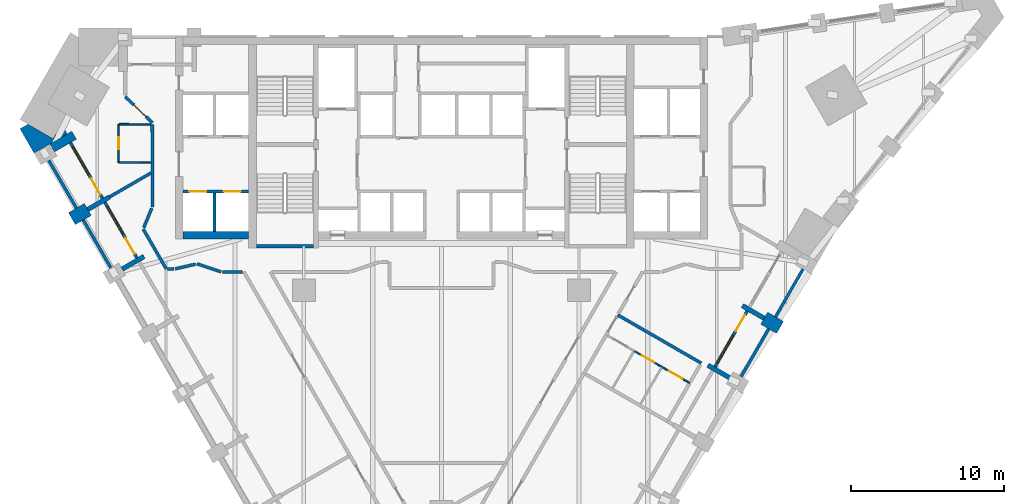
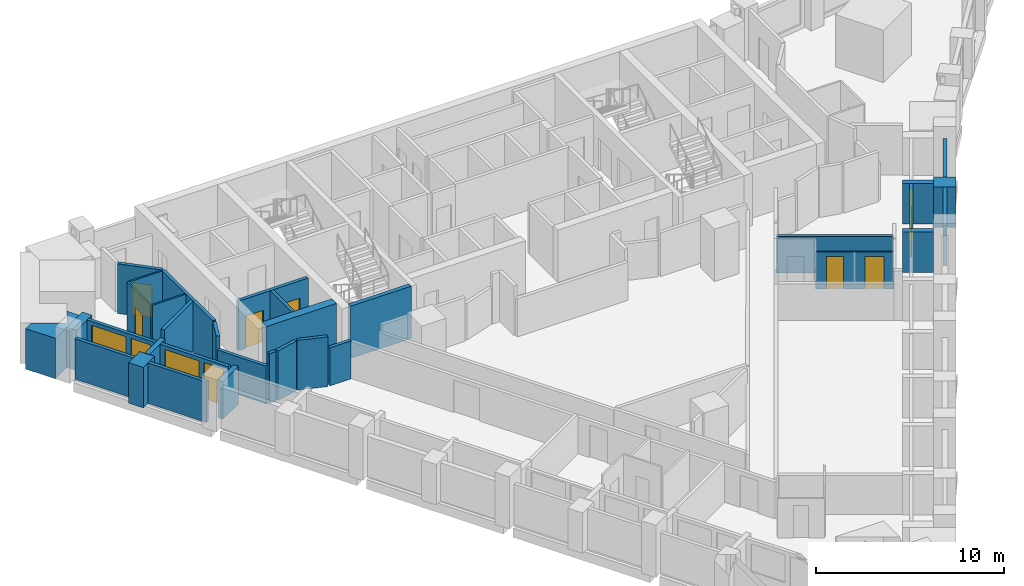
# One storey, part 5 of 10: 33 walls, 9 doors, 3 windows, 12 openings.
"""IFC4 building model written with IfcOpenShell, lengths in metres."""

import ifcopenshell
import ifcopenshell.guid

model = None  # the IFC model being written
_history = None  # IfcOwnerHistory: only IFC2X3 demands one
_inside = {}  # id of a spatial element -> (the spatial element, [elements in it])
_under = {}  # id of a project, library or spatial element -> (it, [spatial elements below it])
_declared = {}  # id of a project -> (the project, [libraries it declares])
_typed = {}  # id of a type object -> (the type object, [elements of that type])
_made_of = {}  # id of a material, layer set ... -> (it, [elements and type objects made of it])


def new_model(schema):
    """Start an empty IFC model of exactly this schema.

    Asked for "IFC4X3", IfcOpenShell would pick the latest addendum, in which some entities
    have other attributes; the version numbers below select the first issue.
    IFC2X3 requires an IfcOwnerHistory on every rooted entity: one is made here for all.
    """
    global model, _history
    if schema == "IFC4X3":
        model = ifcopenshell.file(schema_version=(4, 3, 0, 0))
    else:
        model = ifcopenshell.file(schema=schema)
    _inside.clear()
    _under.clear()
    _declared.clear()
    _typed.clear()
    _made_of.clear()
    _history = None
    if model.schema == "IFC2X3":
        org = make("IfcOrganization", Name="unknown")
        user = make(
            "IfcPersonAndOrganization",
            ThePerson=make("IfcPerson", FamilyName="unknown"),
            TheOrganization=org,
        )
        app = make(
            "IfcApplication",
            ApplicationDeveloper=org,
            Version="unknown",
            ApplicationFullName="unknown",
            ApplicationIdentifier="unknown",
        )
        _history = make(
            "IfcOwnerHistory",
            OwningUser=user,
            OwningApplication=app,
            ChangeAction="ADDED",
            CreationDate=0,
        )
    return model


def make(cls, **values):
    """One entity of the class cls with the attributes given. An attribute that is None is left unset."""
    return model.create_entity(
        cls, **{name: value for name, value in values.items() if value is not None}
    )


def rooted(cls, **values):
    """An entity with a GlobalId (a new one), such as an element, a storey or a relation."""
    return make(cls, GlobalId=ifcopenshell.guid.new(), OwnerHistory=_history, **values)


def si_unit(unit_type, name, prefix=None):
    """IfcSIUnit, for example si_unit("LENGTHUNIT", "METRE", prefix="MILLI")."""
    return make("IfcSIUnit", UnitType=unit_type, Prefix=prefix, Name=name)


def assignment(units):
    """IfcUnitAssignment: the units of a project."""
    return None if units is None else make("IfcUnitAssignment", Units=units)


def point(xyz):
    """IfcCartesianPoint."""
    return None if xyz is None else make("IfcCartesianPoint", Coordinates=xyz)


def direction(xyz):
    """IfcDirection."""
    return None if xyz is None else make("IfcDirection", DirectionRatios=xyz)


def frame(location, z_axis=None, x_axis=None):
    """IfcAxis2Placement3D, a coordinate frame: its origin and axes. An axis left out is left unset."""
    return make(
        "IfcAxis2Placement3D",
        Location=point(location),
        Axis=direction(z_axis),
        RefDirection=direction(x_axis),
    )


def frame_2d(location, x_axis=None):
    """IfcAxis2Placement2D, a coordinate frame in the plane: its origin and x axis."""
    return make(
        "IfcAxis2Placement2D", Location=point(location), RefDirection=direction(x_axis)
    )


def origin():
    """The frame at (0, 0, 0) with its axes left unset."""
    return frame((0.0, 0.0, 0.0))


def place(relative_to, where):
    """IfcLocalPlacement: puts the frame where relative to a parent placement (None: the world)."""
    return make(
        "IfcLocalPlacement", PlacementRelTo=relative_to, RelativePlacement=where
    )


def context(
    kind, dimensions, precision=None, world=None, true_north=None, identifier=None
):
    """IfcGeometricRepresentationContext, for example the 3D "Model" context."""
    return make(
        "IfcGeometricRepresentationContext",
        ContextIdentifier=identifier,
        ContextType=kind,
        CoordinateSpaceDimension=dimensions,
        Precision=precision,
        WorldCoordinateSystem=world,
        TrueNorth=true_north,
    )


def subcontext(parent, identifier, kind, view, scale=None):
    """IfcGeometricRepresentationSubContext, for example "Body" below "Model"."""
    return make(
        "IfcGeometricRepresentationSubContext",
        ContextIdentifier=identifier,
        ContextType=kind,
        ParentContext=parent,
        TargetScale=scale,
        TargetView=view,
    )


def project(units=None, contexts=None):
    """IfcProject with its units and contexts."""
    return rooted(
        "IfcProject",
        Name="project",
        RepresentationContexts=contexts,
        UnitsInContext=assignment(units),
    )


def spatial(cls, under=None, at=None, **own):
    """A site, building, storey or space (cls), placed at a placement, below another one or the project."""
    s = rooted(cls, ObjectPlacement=at, **own)
    if under is not None:
        _under.setdefault(under.id(), (under, []))[1].append(s)
    return s


def polyline(points):
    """IfcPolyline through the points."""
    return make("IfcPolyline", Points=[point(p) for p in points])


def profile(cls, at=None, kind="AREA", **sizes):
    """A parametric profile (cls). Its sizes go by their IFC names, for example OverallWidth=200.0."""
    return make(cls, ProfileType=kind, Position=at, **sizes)


def rectangle(**sizes):
    """IfcRectangleProfileDef."""
    return profile("IfcRectangleProfileDef", **sizes)


def outline(outer, holes=None, kind="AREA"):
    """IfcArbitraryClosedProfileDef: a profile drawn as a closed curve; with holes, ...WithVoids."""
    if holes is None:
        return make("IfcArbitraryClosedProfileDef", ProfileType=kind, OuterCurve=outer)
    return make(
        "IfcArbitraryProfileDefWithVoids",
        ProfileType=kind,
        OuterCurve=outer,
        InnerCurves=holes,
    )


def extrude(swept, where, along, depth):
    """IfcExtrudedAreaSolid: the profile swept, set in the frame where, extruded along a direction by depth."""
    return make(
        "IfcExtrudedAreaSolid",
        SweptArea=swept,
        Position=where,
        ExtrudedDirection=direction(along),
        Depth=depth,
    )


def shape(context_of_items, identifier, shape_type, items):
    """IfcShapeRepresentation: the items that make up one representation, for example the "Body"."""
    return make(
        "IfcShapeRepresentation",
        ContextOfItems=context_of_items,
        RepresentationIdentifier=identifier,
        RepresentationType=shape_type,
        Items=items,
    )


def material(Name=None, Category=None):
    """IfcMaterial."""
    return make("IfcMaterial", Name=Name, Category=Category)


def layer(
    of_material, thickness, ventilated=None, Name=None, Category=None, Priority=None
):
    """IfcMaterialLayer: one layer of a wall or slab, of a material (None: an air gap)."""
    return make(
        "IfcMaterialLayer",
        Material=of_material,
        LayerThickness=thickness,
        IsVentilated=ventilated,
        Name=Name,
        Category=Category,
        Priority=Priority,
    )


def layer_set(layers, Name=None):
    """IfcMaterialLayerSet."""
    return make("IfcMaterialLayerSet", MaterialLayers=layers, LayerSetName=Name)


def made_of(thing, what):
    """Note that an element or type object is made of a material, layer set ...; save() writes the relation."""
    if what is not None:
        _made_of.setdefault(what.id(), (what, []))[1].append(thing)
    return thing


def type_object(cls, material=None, **own):
    """A type object (cls), such as IfcWallType, which elements share."""
    return made_of(rooted(cls, **own), material)


def element(
    cls,
    number,
    at=None,
    inside=None,
    cuts=None,
    type_object=None,
    material=None,
    context=None,
    identifier="Body",
    shape_type=None,
    held_by="IfcProductDefinitionShape",
    body=None,
    shapes=None,
    **own,
):
    """One element of the class cls, such as IfcWall. Its Tag is "e" and its number.

    at: its placement. inside: the storey or other place that contains it. cuts: it is an
    opening in that element (IfcRelVoidsElement). A single representation is given by context,
    identifier, shape_type and body (its items); several are given by shapes. held_by: the class
    of the entity that holds the representations. save() writes the other relations.
    """
    e = rooted(cls, Tag="e%d" % number, ObjectPlacement=at, **own)
    if body is not None:
        shapes = [shape(context, identifier, shape_type, body)]
    if shapes is not None:
        e.Representation = make(held_by, Representations=shapes)
    if inside is not None:
        _inside.setdefault(inside.id(), (inside, []))[1].append(e)
    if cuts is not None:
        rooted(
            "IfcRelVoidsElement", RelatingBuildingElement=cuts, RelatedOpeningElement=e
        )
    if type_object is not None:
        _typed.setdefault(type_object.id(), (type_object, []))[1].append(e)
    return made_of(e, material)


def fill(opening, filler):
    """IfcRelFillsElement: the door or window that sits in an opening."""
    return rooted(
        "IfcRelFillsElement",
        RelatingOpeningElement=opening,
        RelatedBuildingElement=filler,
    )


def aggregate(whole, parts):
    """IfcRelAggregates: a whole, such as a stair, and the parts it consists of."""
    return rooted("IfcRelAggregates", RelatingObject=whole, RelatedObjects=parts)


def save(model, path):
    """Write the relations noted so far, then the file.

    IfcRelAggregates (storeys below a building ...), IfcRelContainedInSpatialStructure (elements
    in a storey), IfcRelDefinesByType, IfcRelAssociatesMaterial and IfcRelDeclares: one each for
    every whole, place, type object, material and project.
    """
    for whole, parts in _under.values():
        aggregate(whole, parts)
    for where, things in _inside.values():
        rooted(
            "IfcRelContainedInSpatialStructure",
            RelatedElements=things,
            RelatingStructure=where,
        )
    for kind, things in _typed.values():
        rooted("IfcRelDefinesByType", RelatedObjects=things, RelatingType=kind)
    for what, things in _made_of.values():
        rooted("IfcRelAssociatesMaterial", RelatedObjects=things, RelatingMaterial=what)
    for by, libraries in _declared.values():
        rooted("IfcRelDeclares", RelatingContext=by, RelatedDefinitions=libraries)
    model.write(path)


model = new_model("IFC4")

# Units and contexts
model_context = context("Model", 3, precision=1e-05, world=origin(), true_north=direction((0.0, 1.0)))
body_context = subcontext(model_context, "Body", "Model", "MODEL_VIEW")
ifc_project = project(units=[si_unit("LENGTHUNIT", "METRE"), si_unit("AREAUNIT", "SQUARE_METRE"), si_unit("VOLUMEUNIT", "CUBIC_METRE"), si_unit("PLANEANGLEUNIT", "RADIAN"), si_unit("MASSUNIT", "GRAM", prefix="KILO")], contexts=[model_context])

# Site, building, storey
site_placement = place(None, origin())
site = spatial("IfcSite", under=ifc_project, at=site_placement, CompositionType="ELEMENT")
building_placement = place(site_placement, origin())
building = spatial("IfcBuilding", under=site, at=building_placement, Name="Calabash Gate Tower", CompositionType="ELEMENT")
storey_placement = place(building_placement, frame((0.0, 0.0, 108.800048828125)))
storey = spatial("IfcBuildingStorey", under=building, at=storey_placement, Name="L24", CompositionType="ELEMENT", Elevation=108.800048828125)

# Walls
ifc_material_1 = material(Name="Terracotta brick masonry, exposed face", Category="masonry")
ifc_layer_1 = layer(ifc_material_1, 2.5)
ifc_layer_set_1 = layer_set([ifc_layer_1], Name="Brick corner mass wall 2500")
wall_type_1 = type_object("IfcWallType", Name="Brick corner mass wall 2500", PredefinedType="SOLIDWALL", material=ifc_layer_set_1)
wall_1_placement = place(storey_placement, origin())
element("IfcWall", 1, at=wall_1_placement, inside=storey, type_object=wall_type_1, Name="Brick corner pier S06 3c", PredefinedType="SOLIDWALL", context=body_context, shape_type="SweptSolid", body=[
    extrude(outline(polyline([(-24.837158203125, 13.3544921875), (-25.3857421875, 12.404541015625), (-27.03125, 13.3544921875), (-27.55078125, 13.054443359375), (-26.634521484375, 11.467529296875), (-24.469482421875, 12.717529296875), (-24.837158203125, 13.3544921875)])), origin(), (0.0, 0.0, 1.0), 2.6298828125),
])
ifc_material_2 = material(Name="Terracotta brick masonry, exposed face", Category="masonry")
ifc_layer_2 = layer(ifc_material_2, 1.199951171875)
ifc_layer_set_2 = layer_set([ifc_layer_2], Name="Brick end wall 1200")
wall_type_2 = type_object("IfcWallType", Name="Brick end wall 1200", PredefinedType="SOLIDWALL", material=ifc_layer_set_2)
wall_2_placement = place(storey_placement, frame((-24.159423828125, 7.1806640625, 0.0), z_axis=(0.0, 0.0, 1.0), x_axis=(0.866043267704, 0.499969057507, 0.0)))
element("IfcWall", 2, at=wall_2_placement, inside=storey, type_object=wall_type_2, Name="Brick pier S06 SW0.1", PredefinedType="SOLIDWALL", context=body_context, shape_type="SweptSolid", body=[
    extrude(rectangle(XDim=1.19970703125, YDim=0.89990234375, at=frame_2d((0.599853515625, 0.0))), origin(), (0.0, 0.0, 1.0), 2.6298828125),
])
wall_3_placement = place(storey_placement, frame((22.13671875, 0.0703125, 0.0), z_axis=(0.0, 0.0, 1.0), x_axis=(-0.865955154139, 0.50012165622, 0.0)))
element("IfcWall", 3, at=wall_3_placement, inside=storey, type_object=wall_type_2, Name="Brick pier S06 SE2.7", PredefinedType="SOLIDWALL", context=body_context, shape_type="SweptSolid", body=[
    extrude(rectangle(XDim=1.199951171875, YDim=0.89990234375, at=frame_2d((0.60009765625, 0.0))), origin(), (0.0, 0.0, 1.0), 2.6298828125),
])
ifc_material_3 = material(Name="Terracotta brick masonry, exposed face", Category="masonry")
ifc_layer_3 = layer(ifc_material_3, 0.300048828125)
ifc_layer_set_3 = layer_set([ifc_layer_3], Name="Brick loggia cheek wall 300")
wall_type_3 = type_object("IfcWallType", Name="Brick loggia cheek wall 300", PredefinedType="SOLIDWALL", material=ifc_layer_set_3)
wall_4_placement = place(storey_placement, frame((-25.4453125, 11.8076171875, 0.0), z_axis=(0.0, 0.0, 1.0), x_axis=(0.866040211805, 0.499974350878, 0.0)))
element("IfcWall", 4, at=wall_4_placement, inside=storey, type_object=wall_type_3, Name="Loggia cheek S06 SW0.0", PredefinedType="SOLIDWALL", context=body_context, shape_type="SweptSolid", body=[
    extrude(rectangle(XDim=1.64990234375, YDim=0.60009765625, at=frame_2d((0.824951171875, 0.0))), origin(), (0.0, 0.0, 1.0), 2.6298828125),
])
wall_5_placement = place(storey_placement, frame((-23.120361328125, 7.780517578125, 0.0), z_axis=(0.0, 0.0, 1.0), x_axis=(0.865976140824, 0.500085316245, 0.0)))
element("IfcWall", 5, at=wall_5_placement, inside=storey, type_object=wall_type_3, Name="Loggia cheek S06 SW0.1", PredefinedType="SOLIDWALL", context=body_context, shape_type="SweptSolid", body=[
    extrude(rectangle(XDim=1.650146484375, YDim=0.300048828125, at=frame_2d((0.8251953125, 0.0))), origin(), (0.0, 0.0, 1.0), 2.64990234375),
])
wall_6_placement = place(storey_placement, frame((-20.870361328125, 3.883544921875, 0.0), z_axis=(0.0, 0.0, 1.0), x_axis=(0.866040211805, 0.499974350878, 0.0)))
element("IfcWall", 6, at=wall_6_placement, inside=storey, type_object=wall_type_3, Name="Loggia cheek S06 SW0.2", PredefinedType="SOLIDWALL", context=body_context, shape_type="SweptSolid", body=[
    extrude(rectangle(XDim=1.64990234375, YDim=0.300048828125, at=frame_2d((0.824951171875, 0.0))), origin(), (0.0, 0.0, 1.0), 2.449951171875),
])
wall_7_placement = place(storey_placement, frame((17.418701171875, -2.40185546875, 0.0), z_axis=(0.0, 0.0, 1.0), x_axis=(0.866003217194, -0.500038426333, 0.0)))
element("IfcWall", 7, at=wall_7_placement, inside=storey, type_object=wall_type_3, Name="Loggia cheek S06 SE2.6", PredefinedType="SOLIDWALL", context=body_context, shape_type="SweptSolid", body=[
    extrude(rectangle(XDim=1.649658203125, YDim=0.300048828125, at=frame_2d((0.82470703125, 0.0))), origin(), (0.0, 0.0, 1.0), 2.64990234375),
])
wall_8_placement = place(storey_placement, frame((21.09765625, 0.67041015625, 0.0), z_axis=(0.0, 0.0, 1.0), x_axis=(-0.866040211805, 0.499974350878, 0.0)))
element("IfcWall", 8, at=wall_8_placement, inside=storey, type_object=wall_type_3, Name="Loggia cheek S06 SE2.7", PredefinedType="SOLIDWALL", context=body_context, shape_type="SweptSolid", body=[
    extrude(rectangle(XDim=1.64990234375, YDim=0.300048828125, at=frame_2d((0.824951171875, 0.0))), origin(), (0.0, 0.0, 1.0), 2.64990234375),
])
ifc_material_4 = material(Name="Concrete C80/95", Category="concrete")
ifc_layer_4 = layer(ifc_material_4, 0.25)
ifc_layer_set_4 = layer_set([ifc_layer_4], Name="Core wall 250 Concrete C80/95")
wall_type_4 = type_object("IfcWallType", Name="Core wall 250 Concrete C80/95", PredefinedType="SHEAR", material=ifc_layer_set_4)
wall_9_placement = place(storey_placement, frame((-12.10009765625, 5.377685546875, 0.0), z_axis=(0.0, 0.0, 1.0), x_axis=(1.0, 0.0, 0.0)))
element("IfcWall", 9, at=wall_9_placement, inside=storey, type_object=wall_type_4, Name="Core wall Z2-SSW L24", PredefinedType="SHEAR", context=body_context, shape_type="SweptSolid", body=[
    extrude(rectangle(XDim=3.75, YDim=0.25, at=frame_2d((1.875, 0.0))), origin(), (0.0, 0.0, 1.0), 3.39990234375),
])
ifc_material_5 = material(Name="Concrete C80/95", Category="concrete")
ifc_layer_5 = layer(ifc_material_5, 0.5)
ifc_layer_set_5 = layer_set([ifc_layer_5], Name="Core wall 500 Concrete C80/95")
wall_type_5 = type_object("IfcWallType", Name="Core wall 500 Concrete C80/95", PredefinedType="SHEAR", material=ifc_layer_set_5)
wall_10_placement = place(storey_placement, frame((-12.60009765625, 6.1025390625, 0.0), z_axis=(0.0, 0.0, 1.0), x_axis=(-1.0, 0.0, 0.0)))
element("IfcWall", 10, at=wall_10_placement, inside=storey, type_object=wall_type_5, Name="Core wall Z2-SW L24", PredefinedType="SHEAR", context=body_context, shape_type="SweptSolid", body=[
    extrude(rectangle(XDim=4.2998046875, YDim=0.5, at=frame_2d((2.14990234375, 0.0))), origin(), (0.0, 0.0, 1.0), 3.39990234375),
])

# Wall, openings, doors
ifc_material_6 = material(Name="Gypsum board on steel studs, mineral wool", Category="steel")
ifc_layer_6 = layer(ifc_material_6, 0.10009765625)
ifc_layer_set_6 = layer_set([ifc_layer_6], Name="Partition 100 gypsum board")
wall_type_6 = type_object("IfcWallType", Name="Partition 100 gypsum board", PredefinedType="PARTITIONING", material=ifc_layer_set_6)
wall_11_placement = place(storey_placement, frame((12.59326171875, -1.46337890625, 0.0), z_axis=(0.0, 0.0, 1.0), x_axis=(0.866022890907, -0.500004352405, 0.0)))
wall_11 = element("IfcWall", 11, at=wall_11_placement, inside=storey, type_object=wall_type_6, Name="Partition", PredefinedType="PARTITIONING", context=body_context, shape_type="SweptSolid", body=[
    extrude(rectangle(XDim=4.1982421875, YDim=0.10009765625, at=frame_2d((2.09912109375, 0.0))), origin(), (0.0, 0.0, 1.0), 2.384033203125),
])
opening_1_placement = place(wall_11_placement, frame((0.59814453125, 0.0, 0.0)))
opening_1 = element("IfcOpeningElement", 12, at=opening_1_placement, cuts=wall_11, Name="Opening 22-24-014", PredefinedType="OPENING", context=body_context, shape_type="SweptSolid", body=[
    extrude(rectangle(XDim=0.89990234375, YDim=2.10009765625, at=frame_2d((0.449951171875, 1.050048828125))), frame((0.0, 0.06005859375, 0.0), z_axis=(0.0, -1.0, 0.0), x_axis=(1.0, 0.0, 0.0)), (0.0, 0.0, 1.0), 0.1201171875),
])
opening_2_placement = place(wall_11_placement, frame((2.648193359375, 0.0, 0.0)))
opening_2 = element("IfcOpeningElement", 13, at=opening_2_placement, cuts=wall_11, Name="Opening 22-24-015", PredefinedType="OPENING", context=body_context, shape_type="SweptSolid", body=[
    extrude(rectangle(XDim=1.0, YDim=2.10009765625, at=frame_2d((0.5, 1.050048828125))), frame((0.0, 0.06005859375, 0.0), z_axis=(0.0, -1.0, 0.0), x_axis=(1.0, 0.0, 0.0)), (0.0, 0.0, 1.0), 0.1201171875),
])
ifc_material_7 = material(Name="Painted timber door", Category="wood")
door_type_1 = type_object("IfcDoorType", Name="WD1 WC door 900x2100", OperationType="NOTDEFINED", PredefinedType="DOOR", material=ifc_material_7)
door_1_placement = place(opening_1_placement, origin())
door_1 = element("IfcDoor", 14, at=door_1_placement, inside=storey, type_object=door_type_1, Name="WC door", OperationType="SINGLE_SWING_RIGHT", OverallHeight=2.10009765625, OverallWidth=0.89990234375, PredefinedType="DOOR", context=body_context, shape_type="SweptSolid", body=[
    extrude(rectangle(XDim=0.89990234375, YDim=2.10009765625, at=frame_2d((0.449951171875, 1.050048828125))), frame((0.0, 0.02490234375, 0.0), z_axis=(0.0, -1.0, 0.0), x_axis=(1.0, 0.0, 0.0)), (0.0, 0.0, 1.0), 0.050048828125),
])
fill(opening_1, door_1)
ifc_material_8 = material(Name="Painted timber door", Category="wood")
door_type_2 = type_object("IfcDoorType", Name="WD2 Accessible WC door 1000x2100", OperationType="NOTDEFINED", PredefinedType="DOOR", material=ifc_material_8)
door_2_placement = place(opening_2_placement, origin())
door_2 = element("IfcDoor", 15, at=door_2_placement, inside=storey, type_object=door_type_2, Name="Accessible WC door", OperationType="SINGLE_SWING_LEFT", OverallHeight=2.10009765625, OverallWidth=1.0, PredefinedType="DOOR", context=body_context, shape_type="SweptSolid", body=[
    extrude(rectangle(XDim=1.0, YDim=2.10009765625, at=frame_2d((0.5, 1.050048828125))), frame((0.0, 0.02490234375, 0.0), z_axis=(0.0, -1.0, 0.0), x_axis=(1.0, 0.0, 0.0)), (0.0, 0.0, 1.0), 0.050048828125),
])
fill(opening_2, door_2)

# Wall
wall_12_placement = place(storey_placement, frame((-21.050537109375, 10.852294921875, 0.0), z_axis=(0.0, 0.0, 1.0), x_axis=(0.99999965253, 0.000833630769, 0.0)))
element("IfcWall", 16, at=wall_12_placement, inside=storey, type_object=wall_type_6, Name="Partition", PredefinedType="PARTITIONING", context=body_context, shape_type="SweptSolid", body=[
    extrude(rectangle(XDim=2.050048828125, YDim=0.10009765625, at=frame_2d((1.02490234375, 0.0))), origin(), (0.0, 0.0, 1.0), 3.22998046875),
])

# Wall, opening, door
wall_13_placement = place(storey_placement, frame((-21.1005859375, 10.852294921875, 0.0), z_axis=(0.0, 0.0, 1.0), x_axis=(0.0, 1.0, 0.0)))
wall_13 = element("IfcWall", 17, at=wall_13_placement, inside=storey, type_object=wall_type_6, Name="Partition", PredefinedType="PARTITIONING", context=body_context, shape_type="SweptSolid", body=[
    extrude(rectangle(XDim=2.5, YDim=0.10009765625, at=frame_2d((1.25, 0.0))), origin(), (0.0, 0.0, 1.0), 3.22998046875),
])
opening_3_placement = place(wall_13_placement, frame((0.85009765625, 0.0, 0.0)))
opening_3 = element("IfcOpeningElement", 18, at=opening_3_placement, cuts=wall_13, Name="Opening 22-24-009", PredefinedType="OPENING", context=body_context, shape_type="SweptSolid", body=[
    extrude(rectangle(XDim=0.800048828125, YDim=2.10009765625, at=frame_2d((0.39990234375, 1.050048828125))), frame((0.0, 0.06005859375, 0.0), z_axis=(0.0, -1.0, 0.0), x_axis=(1.0, 0.0, 0.0)), (0.0, 0.0, 1.0), 0.1201171875),
])
ifc_material_9 = material(Name="Painted timber door", Category="wood")
door_type_3 = type_object("IfcDoorType", Name="GD5 En-suite door 800x2100", OperationType="NOTDEFINED", PredefinedType="DOOR", material=ifc_material_9)
door_3_placement = place(opening_3_placement, origin())
door_3 = element("IfcDoor", 19, at=door_3_placement, inside=storey, type_object=door_type_3, Name="En-suite door", OperationType="SINGLE_SWING_RIGHT", OverallHeight=2.10009765625, OverallWidth=0.800048828125, PredefinedType="DOOR", context=body_context, shape_type="SweptSolid", body=[
    extrude(rectangle(XDim=0.800048828125, YDim=2.10009765625, at=frame_2d((0.39990234375, 1.050048828125))), frame((0.0, 0.02490234375, 0.0), z_axis=(0.0, -1.0, 0.0), x_axis=(1.0, 0.0, 0.0)), (0.0, 0.0, 1.0), 0.050048828125),
])
fill(opening_3, door_3)

# Walls
wall_14_placement = place(storey_placement, frame((-21.050537109375, 13.352294921875, 0.0), z_axis=(0.0, 0.0, 1.0), x_axis=(0.99999965253, -0.000833630769, 0.0)))
element("IfcWall", 20, at=wall_14_placement, inside=storey, type_object=wall_type_6, Name="Partition", PredefinedType="PARTITIONING", context=body_context, shape_type="SweptSolid", body=[
    extrude(rectangle(XDim=2.050048828125, YDim=0.10009765625, at=frame_2d((1.02490234375, 0.0))), origin(), (0.0, 0.0, 1.0), 3.22998046875),
])
ifc_material_10 = material(Name="Gypsum board on steel studs, mineral wool", Category="steel")
ifc_layer_7 = layer(ifc_material_10, 0.199951171875)
ifc_layer_set_7 = layer_set([ifc_layer_7], Name="Partition 200 gypsum board EI 60")
wall_type_7 = type_object("IfcWallType", Name="Partition 200 gypsum board EI 60", PredefinedType="PARTITIONING", material=ifc_layer_set_7)
wall_15_placement = place(storey_placement, frame((11.52490234375, 0.885986328125, 0.0), z_axis=(0.0, 0.0, 1.0), x_axis=(0.866148153111, -0.499787331635, 0.0)))
element("IfcWall", 21, at=wall_15_placement, inside=storey, type_object=wall_type_7, Name="Partition", PredefinedType="PARTITIONING", context=body_context, shape_type="SweptSolid", body=[
    extrude(rectangle(XDim=6.298095703125, YDim=0.199951171875, at=frame_2d((3.14892578125, 0.0))), origin(), (0.0, 0.0, 1.0), 2.384033203125),
])
wall_16_placement = place(storey_placement, frame((-14.300048828125, 3.699462890625, 0.0), z_axis=(0.0, 0.0, 1.0), x_axis=(1.0, 0.0, 0.0)))
element("IfcWall", 22, at=wall_16_placement, inside=storey, type_object=wall_type_7, Name="Partition", PredefinedType="PARTITIONING", context=body_context, shape_type="SweptSolid", body=[
    extrude(rectangle(XDim=1.287353515625, YDim=0.199951171875, at=frame_2d((0.6435546875, 0.0))), origin(), (0.0, 0.0, 1.0), 2.473388671875),
])
wall_17_placement = place(storey_placement, frame((-17.8935546875, 3.89990234375, 0.0), z_axis=(0.0, 0.0, 1.0), x_axis=(0.999999807585, -0.000620347275, 0.0)))
element("IfcWall", 23, at=wall_17_placement, inside=storey, type_object=wall_type_7, Name="Partition", PredefinedType="PARTITIONING", context=body_context, shape_type="SweptSolid", body=[
    extrude(rectangle(XDim=0.3935546875, YDim=0.199951171875, at=frame_2d((0.19677734375, 0.0))), origin(), (0.0, 0.0, 1.0), 3.22998046875),
])
wall_18_placement = place(storey_placement, frame((-17.39990234375, 3.8994140625, 0.0), z_axis=(0.0, 0.0, 1.0), x_axis=(0.974284755848, 0.225320248808, 0.0)))
element("IfcWall", 24, at=wall_18_placement, inside=storey, type_object=wall_type_7, Name="Partition", PredefinedType="PARTITIONING", context=body_context, shape_type="SweptSolid", body=[
    extrude(rectangle(XDim=1.3544921875, YDim=0.199951171875, at=frame_2d((0.67724609375, 0.0))), origin(), (0.0, 0.0, 1.0), 3.22998046875),
])
wall_19_placement = place(storey_placement, frame((-15.98291015625, 4.22705078125, 0.0), z_axis=(0.0, 0.0, 1.0), x_axis=(0.948683298051, -0.316227766017, 0.0)))
element("IfcWall", 25, at=wall_19_placement, inside=storey, type_object=wall_type_7, Name="Partition", PredefinedType="PARTITIONING", context=body_context, shape_type="SweptSolid", body=[
    extrude(rectangle(XDim=1.66845703125, YDim=0.199951171875, at=frame_2d((0.834228515625, 0.0))), origin(), (0.0, 0.0, 1.0), 3.22998046875),
])
wall_20_placement = place(storey_placement, frame((-19.496826171875, 6.50390625, 0.0), z_axis=(0.0, 0.0, 1.0), x_axis=(0.499938005563, -0.866061193331, 0.0)))
element("IfcWall", 26, at=wall_20_placement, inside=storey, type_object=wall_type_7, Name="Partition", PredefinedType="PARTITIONING", context=body_context, shape_type="SweptSolid", body=[
    extrude(rectangle(XDim=3.0068359375, YDim=0.199951171875, at=frame_2d((1.50341796875, 0.0))), origin(), (0.0, 0.0, 1.0), 2.449951171875),
])
wall_21_placement = place(storey_placement, frame((-19.458740234375, 6.596435546875, 0.0), z_axis=(0.0, 0.0, 1.0), x_axis=(0.380552104402, 0.924759479992, 0.0)))
element("IfcWall", 27, at=wall_21_placement, inside=storey, type_object=wall_type_7, Name="Partition", PredefinedType="PARTITIONING", context=body_context, shape_type="SweptSolid", body=[
    extrude(rectangle(XDim=1.366455078125, YDim=0.199951171875, at=frame_2d((0.68310546875, 0.0))), origin(), (0.0, 0.0, 1.0), 3.22998046875),
])
wall_22_placement = place(storey_placement, frame((-21.69140625, 8.605712890625, 0.0), z_axis=(0.0, 0.0, 1.0), x_axis=(0.866035862278, 0.499981884921, 0.0)))
element("IfcWall", 28, at=wall_22_placement, inside=storey, type_object=wall_type_7, Name="Partition", PredefinedType="PARTITIONING", context=body_context, shape_type="SweptSolid", body=[
    extrude(rectangle(XDim=3.12255859375, YDim=0.199951171875, at=frame_2d((1.561279296875, 0.0))), origin(), (0.0, 0.0, 1.0), 3.22998046875),
])
wall_23_placement = place(storey_placement, frame((-18.904052734375, 13.352294921875, 0.0), z_axis=(0.0, 0.0, 1.0), x_axis=(0.000678211175, -0.999999770015, 0.0)))
element("IfcWall", 29, at=wall_23_placement, inside=storey, type_object=wall_type_7, Name="Partition", PredefinedType="PARTITIONING", context=body_context, shape_type="SweptSolid", body=[
    extrude(rectangle(XDim=5.399658203125, YDim=0.199951171875, at=frame_2d((2.69970703125, 0.0))), origin(), (0.0, 0.0, 1.0), 3.22998046875),
])

# Wall, opening, door
wall_24_placement = place(storey_placement, frame((-20.66943359375, 15.15234375, 0.0), z_axis=(0.0, 0.0, 1.0), x_axis=(0.721047194307, -0.692885952796, 0.0)))
wall_24 = element("IfcWall", 30, at=wall_24_placement, inside=storey, type_object=wall_type_7, Name="Partition", PredefinedType="PARTITIONING", context=body_context, shape_type="SweptSolid", body=[
    extrude(rectangle(XDim=2.453369140625, YDim=0.199951171875, at=frame_2d((1.2265625, 0.0))), origin(), (0.0, 0.0, 1.0), 3.22998046875),
])
opening_4_placement = place(wall_24_placement, frame((0.776611328125, 0.0, 0.0)))
opening_4 = element("IfcOpeningElement", 31, at=opening_4_placement, cuts=wall_24, Name="Opening 22-24-016", PredefinedType="OPENING", context=body_context, shape_type="SweptSolid", body=[
    extrude(rectangle(XDim=1.10009765625, YDim=2.10009765625, at=frame_2d((0.550048828125, 1.050048828125))), frame((0.0, 0.10986328125, 0.0), z_axis=(0.0, -1.0, 0.0), x_axis=(1.0, 0.0, 0.0)), (0.0, 0.0, 1.0), 0.219970703125),
])
ifc_material_11 = material(Name="Steel fire door set with fire-resisting glazing", Category="steel")
door_type_4 = type_object("IfcDoorType", Name="GD3 Suite entrance door 1100x2100", OperationType="NOTDEFINED", PredefinedType="DOOR", material=ifc_material_11)
door_4_placement = place(opening_4_placement, origin())
door_4 = element("IfcDoor", 32, at=door_4_placement, inside=storey, type_object=door_type_4, Name="Suite entrance door", OperationType="SINGLE_SWING_LEFT", OverallHeight=2.10009765625, OverallWidth=1.10009765625, PredefinedType="DOOR", context=body_context, shape_type="SweptSolid", body=[
    extrude(rectangle(XDim=1.10009765625, YDim=2.10009765625, at=frame_2d((0.550048828125, 1.050048828125))), frame((0.0, 0.02490234375, 0.0), z_axis=(0.0, -1.0, 0.0), x_axis=(1.0, 0.0, 0.0)), (0.0, 0.0, 1.0), 0.050048828125),
])
fill(opening_4, door_4)

# Wall
ifc_material_12 = material(Name="Concrete C40/50", Category="concrete")
ifc_layer_8 = layer(ifc_material_12, 0.199951171875)
ifc_layer_set_8 = layer_set([ifc_layer_8], Name="Shaft wall 200 Concrete C40/50")
wall_type_8 = type_object("IfcWallType", Name="Shaft wall 200 Concrete C40/50", PredefinedType="SOLIDWALL", material=ifc_layer_set_8)
wall_25_placement = place(storey_placement, frame((-14.85009765625, 6.3525390625, 0.0), z_axis=(0.0, 0.0, 1.0), x_axis=(0.0, 1.0, 0.0)))
element("IfcWall", 33, at=wall_25_placement, inside=storey, type_object=wall_type_8, Name="Shaft wall", PredefinedType="SOLIDWALL", context=body_context, shape_type="SweptSolid", body=[
    extrude(rectangle(XDim=2.5, YDim=0.199951171875, at=frame_2d((1.25, 0.0))), origin(), (0.0, 0.0, 1.0), 3.22998046875),
])

# Wall, openings, doors
wall_26_placement = place(storey_placement, frame((-16.89990234375, 8.95263671875, 0.0), z_axis=(0.0, 0.0, 1.0), x_axis=(1.0, 0.0, 0.0)))
wall_26 = element("IfcWall", 34, at=wall_26_placement, inside=storey, type_object=wall_type_8, Name="Shaft wall", PredefinedType="SOLIDWALL", context=body_context, shape_type="SweptSolid", body=[
    extrude(rectangle(XDim=4.2998046875, YDim=0.199951171875, at=frame_2d((2.14990234375, 0.0))), origin(), (0.0, 0.0, 1.0), 3.22998046875),
])
opening_5_placement = place(wall_26_placement, frame((2.675048828125, 0.0, 0.0)))
opening_5 = element("IfcOpeningElement", 35, at=opening_5_placement, cuts=wall_26, Name="Opening LD-LR1", PredefinedType="OPENING", context=body_context, shape_type="SweptSolid", body=[
    extrude(rectangle(XDim=1.10009765625, YDim=2.10009765625, at=frame_2d((0.550048828125, 1.050048828125))), frame((0.0, 0.10986328125, 0.0), z_axis=(0.0, -1.0, 0.0), x_axis=(1.0, 0.0, 0.0)), (0.0, 0.0, 1.0), 0.219970703125),
])
opening_6_placement = place(wall_26_placement, frame((0.425048828125, 0.0, 0.0)))
opening_6 = element("IfcOpeningElement", 36, at=opening_6_placement, cuts=wall_26, Name="Opening LD-LR2", PredefinedType="OPENING", context=body_context, shape_type="SweptSolid", body=[
    extrude(rectangle(XDim=1.10009765625, YDim=2.10009765625, at=frame_2d((0.550048828125, 1.050048828125))), frame((0.0, 0.10986328125, 0.0), z_axis=(0.0, -1.0, 0.0), x_axis=(1.0, 0.0, 0.0)), (0.0, 0.0, 1.0), 0.219970703125),
])
ifc_material_13 = material(Name="Stainless steel sliding door leaves", Category="steel")
door_type_5 = type_object("IfcDoorType", Name="Lift landing door LS1 1100x2100 FD90", OperationType="DOUBLE_DOOR_SLIDING", PredefinedType="DOOR", material=ifc_material_13)
door_5_placement = place(opening_5_placement, origin())
door_5 = element("IfcDoor", 37, at=door_5_placement, inside=storey, type_object=door_type_5, Name="Lift landing door LR1", OperationType="DOUBLE_DOOR_SLIDING", OverallHeight=2.10009765625, OverallWidth=1.10009765625, PredefinedType="DOOR", context=body_context, shape_type="SweptSolid", body=[
    extrude(rectangle(XDim=1.10009765625, YDim=2.10009765625, at=frame_2d((0.550048828125, 1.050048828125))), frame((0.0, 0.02490234375, 0.0), z_axis=(0.0, -1.0, 0.0), x_axis=(1.0, 0.0, 0.0)), (0.0, 0.0, 1.0), 0.050048828125),
])
fill(opening_5, door_5)
door_6_placement = place(opening_6_placement, origin())
door_6 = element("IfcDoor", 38, at=door_6_placement, inside=storey, type_object=door_type_5, Name="Lift landing door LR2", OperationType="DOUBLE_DOOR_SLIDING", OverallHeight=2.10009765625, OverallWidth=1.10009765625, PredefinedType="DOOR", context=body_context, shape_type="SweptSolid", body=[
    extrude(rectangle(XDim=1.10009765625, YDim=2.10009765625, at=frame_2d((0.550048828125, 1.050048828125))), frame((0.0, 0.02490234375, 0.0), z_axis=(0.0, -1.0, 0.0), x_axis=(1.0, 0.0, 0.0)), (0.0, 0.0, 1.0), 0.050048828125),
])
fill(opening_6, door_6)

# Walls
ifc_material_14 = material(Name="Terracotta brick masonry, perforated", Category="masonry")
ifc_layer_9 = layer(ifc_material_14, 0.199951171875)
ifc_layer_set_9 = layer_set([ifc_layer_9], Name="Terracotta jaali screen B")
wall_type_9 = type_object("IfcWallType", Name="Terracotta jaali screen B", PredefinedType="SOLIDWALL", material=ifc_layer_set_9)
for number, where, z_axis, x_axis, name in (
    (39, (-25.664794921875, 10.988037109375, 0.0), (0.0, 0.0, 1.0), (0.499961193289, -0.866047807691, 0.0), "SCREEN B S06 SW0.1"),
    (40, (-23.414794921875, 7.0908203125, 0.0), (0.0, 0.0, 1.0), (0.499961193289, -0.866047807691, 0.0), "SCREEN B S06 SW0.2"),
):
    element("IfcWall", number, at=place(storey_placement, frame(where, z_axis=z_axis, x_axis=x_axis)), inside=storey, type_object=wall_type_9, Name=name, PredefinedType="SOLIDWALL", context=body_context, shape_type="SweptSolid", body=[
        extrude(rectangle(XDim=3.599853515625, YDim=0.199951171875, at=frame_2d((1.7998046875, 0.0))), origin(), (0.0, 0.0, 1.0), 2.6298828125),
    ])
for number, where, z_axis, x_axis, name in (
    (41, (19.592041015625, -3.136962890625, 0.0), (0.0, 0.0, 1.0), (0.500012057535, 0.866018442252, 0.0), "SCREEN B S06 SE2.7"),
    (42, (21.842041015625, 0.760009765625, 0.0), (0.0, 0.0, 1.0), (0.500012057535, 0.866018442252, 0.0), "SCREEN B S06 SE2.8"),
):
    element("IfcWall", number, at=place(storey_placement, frame(where, z_axis=z_axis, x_axis=x_axis)), inside=storey, type_object=wall_type_9, Name=name, PredefinedType="SOLIDWALL", context=body_context, shape_type="SweptSolid", body=[
        extrude(rectangle(XDim=3.60009765625, YDim=0.199951171875, at=frame_2d((1.800048828125, 0.0))), origin(), (0.0, 0.0, 1.0), 2.6298828125),
    ])

# Wall, openings, door, window
ifc_material_15 = material(Name="Aluminium framed window wall with insulated spandrel", Category="aluminium")
ifc_layer_10 = layer(ifc_material_15, 0.199951171875)
ifc_layer_set_10 = layer_set([ifc_layer_10], Name="Window wall 200")
wall_type_10 = type_object("IfcWallType", Name="Window wall 200", PredefinedType="ELEMENTEDWALL", material=ifc_layer_set_10)
wall_27_placement = place(storey_placement, frame((-24.256103515625, 12.147705078125, 0.0), z_axis=(0.0, 0.0, 1.0), x_axis=(0.500027713859, -0.866009402589, 0.0)))
wall_27 = element("IfcWall", 43, at=wall_27_placement, inside=storey, type_object=wall_type_10, Name="Window wall S06 SW0.1", PredefinedType="ELEMENTEDWALL", context=body_context, shape_type="SweptSolid", body=[
    extrude(rectangle(XDim=4.199951171875, YDim=0.199951171875, at=frame_2d((2.10009765625, 0.0))), origin(), (0.0, 0.0, 1.0), 2.64990234375),
])
opening_7_placement = place(wall_27_placement, frame((0.300048828125, 0.0, 0.60009765625)))
opening_7 = element("IfcOpeningElement", 44, at=opening_7_placement, cuts=wall_27, Name="Opening HW1", PredefinedType="OPENING", context=body_context, shape_type="SweptSolid", body=[
    extrude(rectangle(XDim=2.10009765625, YDim=1.800048828125, at=frame_2d((1.050048828125, 0.89990234375))), frame((0.0, 0.10986328125, 0.0), z_axis=(0.0, -1.0, 0.0), x_axis=(1.0, 0.0, 0.0)), (0.0, 0.0, 1.0), 0.219970703125),
])
opening_8_placement = place(wall_27_placement, frame((2.699951171875, 0.0, 0.0)))
opening_8 = element("IfcOpeningElement", 45, at=opening_8_placement, cuts=wall_27, Name="Opening H6-021", PredefinedType="OPENING", context=body_context, shape_type="SweptSolid", body=[
    extrude(rectangle(XDim=1.199951171875, YDim=2.39990234375, at=frame_2d((0.60009765625, 1.199951171875))), frame((0.0, 0.10986328125, 0.0), z_axis=(0.0, -1.0, 0.0), x_axis=(1.0, 0.0, 0.0)), (0.0, 0.0, 1.0), 0.219970703125),
])
ifc_material_16 = material(Name="Anodised aluminium frame, bronze finish, impact-rated laminated clear glazing", Category="aluminium")
door_type_6 = type_object("IfcDoorType", Name="Loggia door DH1 1200x2400", OperationType="SLIDING_TO_LEFT", PredefinedType="DOOR", material=ifc_material_16)
door_7_placement = place(opening_8_placement, origin())
door_7 = element("IfcDoor", 46, at=door_7_placement, inside=storey, type_object=door_type_6, Name="Loggia door S06 SW0.1", OperationType="SINGLE_SWING_LEFT", OverallHeight=2.39990234375, OverallWidth=1.199951171875, PredefinedType="DOOR", context=body_context, shape_type="SweptSolid", body=[
    extrude(rectangle(XDim=1.199951171875, YDim=2.39990234375, at=frame_2d((0.60009765625, 1.199951171875))), frame((0.0, 0.02490234375, 0.0), z_axis=(0.0, -1.0, 0.0), x_axis=(1.0, 0.0, 0.0)), (0.0, 0.0, 1.0), 0.050048828125),
])
fill(opening_8, door_7)
ifc_material_17 = material(Name="Anodised aluminium frame, bronze finish, impact-rated laminated clear glazing", Category="aluminium")
window_type = type_object("IfcWindowType", Name="Window HW1 2100x1800", PartitioningType="DOUBLE_PANEL_VERTICAL", PredefinedType="WINDOW", material=ifc_material_17)
window_1_placement = place(opening_7_placement, origin())
window_1 = element("IfcWindow", 47, at=window_1_placement, inside=storey, type_object=window_type, Name="Window HW1 S06 SW0.1", OverallHeight=1.800048828125, OverallWidth=2.10009765625, PartitioningType="SINGLE_PANEL", PredefinedType="WINDOW", context=body_context, shape_type="SweptSolid", body=[
    extrude(rectangle(XDim=2.10009765625, YDim=1.800048828125, at=frame_2d((1.050048828125, 0.89990234375))), frame((0.0, 0.030029296875, 0.0), z_axis=(0.0, -1.0, 0.0), x_axis=(1.0, 0.0, 0.0)), (0.0, 0.0, 1.0), 0.06005859375),
])
fill(opening_7, window_1)

wall_28_placement = place(storey_placement, frame((-22.006103515625, 8.250732421875, 0.0), z_axis=(0.0, 0.0, 1.0), x_axis=(0.500002543286, -0.866023935413, 0.0)))
wall_28 = element("IfcWall", 48, at=wall_28_placement, inside=storey, type_object=wall_type_10, Name="Window wall S06 SW0.2", PredefinedType="ELEMENTEDWALL", context=body_context, shape_type="SweptSolid", body=[
    extrude(rectangle(XDim=4.2001953125, YDim=0.199951171875, at=frame_2d((2.10009765625, 0.0))), origin(), (0.0, 0.0, 1.0), 2.64990234375),
])
opening_9_placement = place(wall_28_placement, frame((0.300048828125, 0.0, 0.60009765625)))
opening_9 = element("IfcOpeningElement", 49, at=opening_9_placement, cuts=wall_28, Name="Opening HW1", PredefinedType="OPENING", context=body_context, shape_type="SweptSolid", body=[
    extrude(rectangle(XDim=2.10009765625, YDim=1.800048828125, at=frame_2d((1.050048828125, 0.89990234375))), frame((0.0, 0.10986328125, 0.0), z_axis=(0.0, -1.0, 0.0), x_axis=(1.0, 0.0, 0.0)), (0.0, 0.0, 1.0), 0.219970703125),
])
opening_10_placement = place(wall_28_placement, frame((2.699951171875, 0.0, 0.0)))
opening_10 = element("IfcOpeningElement", 50, at=opening_10_placement, cuts=wall_28, Name="Opening H6-022", PredefinedType="OPENING", context=body_context, shape_type="SweptSolid", body=[
    extrude(rectangle(XDim=1.199951171875, YDim=2.39990234375, at=frame_2d((0.60009765625, 1.199951171875))), frame((0.0, 0.10986328125, 0.0), z_axis=(0.0, -1.0, 0.0), x_axis=(1.0, 0.0, 0.0)), (0.0, 0.0, 1.0), 0.219970703125),
])
door_8_placement = place(opening_10_placement, origin())
door_8 = element("IfcDoor", 51, at=door_8_placement, inside=storey, type_object=door_type_6, Name="Loggia door S06 SW0.2", OperationType="SINGLE_SWING_LEFT", OverallHeight=2.39990234375, OverallWidth=1.199951171875, PredefinedType="DOOR", context=body_context, shape_type="SweptSolid", body=[
    extrude(rectangle(XDim=1.199951171875, YDim=2.39990234375, at=frame_2d((0.60009765625, 1.199951171875))), frame((0.0, 0.02490234375, 0.0), z_axis=(0.0, -1.0, 0.0), x_axis=(1.0, 0.0, 0.0)), (0.0, 0.0, 1.0), 0.050048828125),
])
fill(opening_10, door_8)
window_2_placement = place(opening_9_placement, origin())
window_2 = element("IfcWindow", 52, at=window_2_placement, inside=storey, type_object=window_type, Name="Window HW1 S06 SW0.2", OverallHeight=1.800048828125, OverallWidth=2.10009765625, PartitioningType="SINGLE_PANEL", PredefinedType="WINDOW", context=body_context, shape_type="SweptSolid", body=[
    extrude(rectangle(XDim=2.10009765625, YDim=1.800048828125, at=frame_2d((1.050048828125, 0.89990234375))), frame((0.0, 0.030029296875, 0.0), z_axis=(0.0, -1.0, 0.0), x_axis=(1.0, 0.0, 0.0)), (0.0, 0.0, 1.0), 0.06005859375),
])
fill(opening_9, window_2)

wall_29_placement = place(storey_placement, frame((17.88330078125, -2.496826171875, 0.0), z_axis=(0.0, 0.0, 1.0), x_axis=(0.500027713859, 0.866009402589, 0.0)))
wall_29 = element("IfcWall", 53, at=wall_29_placement, inside=storey, type_object=wall_type_10, Name="Window wall S06 SE2.7", PredefinedType="ELEMENTEDWALL", context=body_context, shape_type="SweptSolid", body=[
    extrude(rectangle(XDim=4.199951171875, YDim=0.199951171875, at=frame_2d((2.10009765625, 0.0))), origin(), (0.0, 0.0, 1.0), 2.64990234375),
])
opening_11_placement = place(wall_29_placement, frame((0.300048828125, 0.0, 0.60009765625)))
opening_11 = element("IfcOpeningElement", 54, at=opening_11_placement, cuts=wall_29, Name="Opening HW1", PredefinedType="OPENING", context=body_context, shape_type="SweptSolid", body=[
    extrude(rectangle(XDim=2.10009765625, YDim=1.800048828125, at=frame_2d((1.050048828125, 0.89990234375))), frame((0.0, 0.10986328125, 0.0), z_axis=(0.0, -1.0, 0.0), x_axis=(1.0, 0.0, 0.0)), (0.0, 0.0, 1.0), 0.219970703125),
])
opening_12_placement = place(wall_29_placement, frame((2.699951171875, 0.0, 0.0)))
opening_12 = element("IfcOpeningElement", 55, at=opening_12_placement, cuts=wall_29, Name="Opening H6-019", PredefinedType="OPENING", context=body_context, shape_type="SweptSolid", body=[
    extrude(rectangle(XDim=1.199951171875, YDim=2.39990234375, at=frame_2d((0.60009765625, 1.199951171875))), frame((0.0, 0.10986328125, 0.0), z_axis=(0.0, -1.0, 0.0), x_axis=(1.0, 0.0, 0.0)), (0.0, 0.0, 1.0), 0.219970703125),
])
door_9_placement = place(opening_12_placement, origin())
door_9 = element("IfcDoor", 56, at=door_9_placement, inside=storey, type_object=door_type_6, Name="Loggia door S06 SE2.7", OperationType="SINGLE_SWING_LEFT", OverallHeight=2.39990234375, OverallWidth=1.199951171875, PredefinedType="DOOR", context=body_context, shape_type="SweptSolid", body=[
    extrude(rectangle(XDim=1.199951171875, YDim=2.39990234375, at=frame_2d((0.60009765625, 1.199951171875))), frame((0.0, 0.02490234375, 0.0), z_axis=(0.0, -1.0, 0.0), x_axis=(1.0, 0.0, 0.0)), (0.0, 0.0, 1.0), 0.050048828125),
])
fill(opening_12, door_9)
window_3_placement = place(opening_11_placement, origin())
window_3 = element("IfcWindow", 57, at=window_3_placement, inside=storey, type_object=window_type, Name="Window HW1 S06 SE2.7", OverallHeight=1.800048828125, OverallWidth=2.10009765625, PartitioningType="SINGLE_PANEL", PredefinedType="WINDOW", context=body_context, shape_type="SweptSolid", body=[
    extrude(rectangle(XDim=2.10009765625, YDim=1.800048828125, at=frame_2d((1.050048828125, 0.89990234375))), frame((0.0, 0.030029296875, 0.0), z_axis=(0.0, -1.0, 0.0), x_axis=(1.0, 0.0, 0.0)), (0.0, 0.0, 1.0), 0.06005859375),
])
fill(opening_11, window_3)

save(model, "model.ifc")
